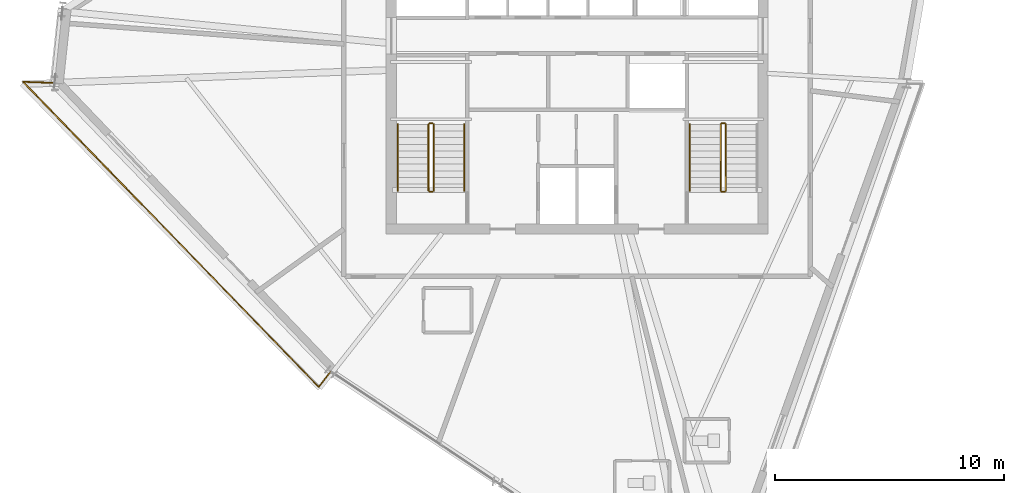
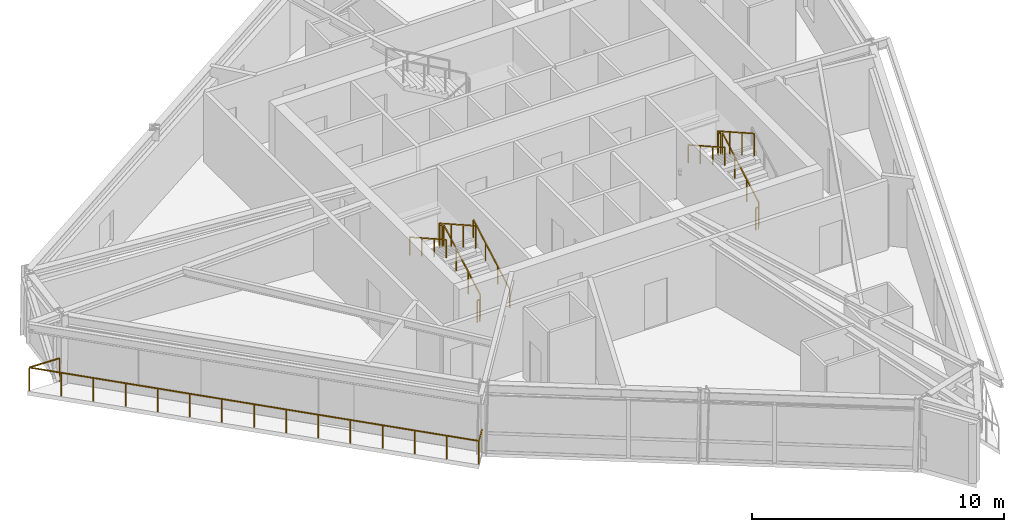
# One storey, part 12 of 15: 12 railings.
"""IFC4 building model written with IfcOpenShell, lengths in metres."""

from ifc_helpers import new_model, si_unit, direction, frame, origin, origin_2d, place, context, subcontext, project, spatial, rectangle, extrude, material, type_object, element, save


model = new_model("IFC4")

# Units and contexts
model_context = context("Model", 3, precision=1e-05, world=origin(), true_north=direction((0.0, 1.0)))
body_context = subcontext(model_context, "Body", "Model", "MODEL_VIEW")
ifc_project = project(units=[si_unit("LENGTHUNIT", "METRE"), si_unit("AREAUNIT", "SQUARE_METRE"), si_unit("VOLUMEUNIT", "CUBIC_METRE"), si_unit("PLANEANGLEUNIT", "RADIAN"), si_unit("MASSUNIT", "GRAM", prefix="KILO")], contexts=[model_context])

# Site, building, storey
site_placement = place(None, origin())
site = spatial("IfcSite", under=ifc_project, at=site_placement, CompositionType="ELEMENT")
building_placement = place(site_placement, origin())
building = spatial("IfcBuilding", under=site, at=building_placement, Name="Olszyna Solenne Hotel", CompositionType="ELEMENT")
storey_placement = place(building_placement, frame((0.0, 0.0, 245.300048828125)))
storey = spatial("IfcBuildingStorey", under=building, at=storey_placement, Name="L65", CompositionType="ELEMENT", Elevation=245.300048828125)

# Railings
ifc_material_1 = material(Name="Anodised bronze aluminium", Category="aluminium")
railing_type_1 = type_object("IfcRailingType", Name="GR-110", PredefinedType="BALUSTRADE", material=ifc_material_1)
railing_1_placement = place(storey_placement, frame((15.144775390625, 25.661865234375, 0.0)))
element("IfcRailing", 1, at=railing_1_placement, inside=storey, type_object=railing_type_1, Name="Loggia balcony balustrade guard GR-L65-LG2", PredefinedType="BALUSTRADE", context=body_context, shape_type="SweptSolid", body=[
    extrude(rectangle(XDim=0.048095703125, YDim=0.048095703125, at=origin_2d()), frame((0.0, 0.0, 1.1259765625), z_axis=(-0.999308757845, 0.037175347945, 0.0), x_axis=(-0.037175347945, -0.999308757845, 0.0)), (0.0, 0.0, 1.0), 1.379150390625),
    extrude(rectangle(XDim=0.048095703125, YDim=0.048095703125, at=origin_2d()), frame((-1.378173828125, 0.05126953125, 1.1259765625), z_axis=(0.695944101793, -0.71809595959, 0.0), x_axis=(0.71809595959, 0.695944101793, 0.0)), (0.0, 0.0, 1.0), 18.581787109375),
    extrude(rectangle(XDim=0.048095703125, YDim=0.048095703125, at=origin_2d()), frame((11.5537109375, -13.292236328125, 1.1259765625), z_axis=(0.619578789857, 0.784934470615, 0.0), x_axis=(-0.784934470615, 0.619578789857, 0.0)), (0.0, 0.0, 1.0), 0.845947265625),
    extrude(rectangle(XDim=0.0419921875, YDim=0.0419921875, at=origin_2d()), origin(), (0.0, 0.0, 1.0), 1.101806640625),
    extrude(rectangle(XDim=0.0419921875, YDim=0.0419921875, at=origin_2d()), frame((-1.378173828125, 0.05126953125, 0.0)), (0.0, 0.0, 1.0), 1.101806640625),
    extrude(rectangle(XDim=0.0419921875, YDim=0.0419921875, at=origin_2d()), frame((-0.45458984375, -0.90185546875, 0.0)), (0.0, 0.0, 1.0), 1.101806640625),
    extrude(rectangle(XDim=0.0419921875, YDim=0.0419921875, at=origin_2d()), frame((0.46923828125, -1.85498046875, 0.0)), (0.0, 0.0, 1.0), 1.101806640625),
    extrude(rectangle(XDim=0.0419921875, YDim=0.0419921875, at=origin_2d()), frame((1.39306640625, -2.80810546875, 0.0)), (0.0, 0.0, 1.0), 1.101806640625),
    extrude(rectangle(XDim=0.0419921875, YDim=0.0419921875, at=origin_2d()), frame((2.316650390625, -3.76123046875, 0.0)), (0.0, 0.0, 1.0), 1.101806640625),
    extrude(rectangle(XDim=0.0419921875, YDim=0.0419921875, at=origin_2d()), frame((3.240234375, -4.71435546875, 0.0)), (0.0, 0.0, 1.0), 1.101806640625),
    extrude(rectangle(XDim=0.0419921875, YDim=0.0419921875, at=origin_2d()), frame((4.1640625, -5.66748046875, 0.0)), (0.0, 0.0, 1.0), 1.101806640625),
    extrude(rectangle(XDim=0.0419921875, YDim=0.0419921875, at=origin_2d()), frame((5.087890625, -6.62060546875, 0.0)), (0.0, 0.0, 1.0), 1.101806640625),
    extrude(rectangle(XDim=0.0419921875, YDim=0.0419921875, at=origin_2d()), frame((6.011474609375, -7.573486328125, 0.0)), (0.0, 0.0, 1.0), 1.101806640625),
    extrude(rectangle(XDim=0.0419921875, YDim=0.0419921875, at=origin_2d()), frame((6.93505859375, -8.526611328125, 0.0)), (0.0, 0.0, 1.0), 1.101806640625),
    extrude(rectangle(XDim=0.0419921875, YDim=0.0419921875, at=origin_2d()), frame((7.85888671875, -9.479736328125, 0.0)), (0.0, 0.0, 1.0), 1.101806640625),
    extrude(rectangle(XDim=0.0419921875, YDim=0.0419921875, at=origin_2d()), frame((8.78271484375, -10.432861328125, 0.0)), (0.0, 0.0, 1.0), 1.101806640625),
    extrude(rectangle(XDim=0.0419921875, YDim=0.0419921875, at=origin_2d()), frame((9.706298828125, -11.385986328125, 0.0)), (0.0, 0.0, 1.0), 1.101806640625),
    extrude(rectangle(XDim=0.0419921875, YDim=0.0419921875, at=origin_2d()), frame((10.6298828125, -12.339111328125, 0.0)), (0.0, 0.0, 1.0), 1.101806640625),
    extrude(rectangle(XDim=0.0419921875, YDim=0.0419921875, at=origin_2d()), frame((11.5537109375, -13.292236328125, 0.0)), (0.0, 0.0, 1.0), 1.101806640625),
    extrude(rectangle(XDim=0.0419921875, YDim=0.0419921875, at=origin_2d()), frame((12.077880859375, -12.628173828125, 0.0)), (0.0, 0.0, 1.0), 1.101806640625),
])
railing_2_placement = place(storey_placement, frame((31.719970703125, 20.949951171875, 0.16357421875)))
element("IfcRailing", 2, at=railing_2_placement, inside=storey, type_object=railing_type_1, Name="L65 ST1 stair guard 1", PredefinedType="BALUSTRADE", context=body_context, shape_type="SweptSolid", body=[
    extrude(rectangle(XDim=0.048095703125, YDim=0.048095703125, at=origin_2d()), frame((0.0, 0.0, 1.076171875), z_axis=(0.0, 0.870914908162, 0.491433843708), x_axis=(-1.0, 0.0, 0.0)), (0.0, 0.0, 1.0), 3.330078125),
    extrude(rectangle(XDim=0.0419921875, YDim=0.0419921875, at=origin_2d()), origin(), (0.0, 0.0, 1.0), 1.052001953125),
    extrude(rectangle(XDim=0.0419921875, YDim=0.0419921875, at=origin_2d()), frame((0.0, 0.966796875, 0.54541015625)), (0.0, 0.0, 1.0), 1.052001953125),
    extrude(rectangle(XDim=0.0419921875, YDim=0.0419921875, at=origin_2d()), frame((0.0, 1.933349609375, 1.091064453125)), (0.0, 0.0, 1.0), 1.052001953125),
    extrude(rectangle(XDim=0.0419921875, YDim=0.0419921875, at=origin_2d()), frame((0.0, 2.900146484375, 1.636474609375)), (0.0, 0.0, 1.0), 1.052001953125),
])
railing_3_placement = place(storey_placement, frame((31.669921875, 23.89990234375, 1.800048828125)))
element("IfcRailing", 3, at=railing_3_placement, inside=storey, type_object=railing_type_1, Name="L65 ST1 stair guard 2", PredefinedType="BALUSTRADE", context=body_context, shape_type="SweptSolid", body=[
    extrude(rectangle(XDim=0.048095703125, YDim=0.048095703125, at=origin_2d()), frame((0.0, 0.0, 1.076171875), z_axis=(-1.0, 0.0, 0.0), x_axis=(0.0, -1.0, 0.0)), (0.0, 0.0, 1.0), 0.119873046875),
    extrude(rectangle(XDim=0.0419921875, YDim=0.0419921875, at=origin_2d()), origin(), (0.0, 0.0, 1.0), 1.052001953125),
    extrude(rectangle(XDim=0.0419921875, YDim=0.0419921875, at=origin_2d()), frame((-0.119873046875, 0.0, 0.0)), (0.0, 0.0, 1.0), 1.052001953125),
])
railing_4_placement = place(storey_placement, frame((31.5, 23.85009765625, 1.963623046875)))
element("IfcRailing", 4, at=railing_4_placement, inside=storey, type_object=railing_type_1, Name="L65 ST1 stair guard 3", PredefinedType="BALUSTRADE", context=body_context, shape_type="SweptSolid", body=[
    extrude(rectangle(XDim=0.048095703125, YDim=0.048095703125, at=origin_2d()), frame((0.0, 0.0, 1.076171875), z_axis=(0.0, -0.870946286338, 0.49137823142), x_axis=(1.0, 0.0, 0.0)), (0.0, 0.0, 1.0), 3.329833984375),
    extrude(rectangle(XDim=0.0419921875, YDim=0.0419921875, at=origin_2d()), origin(), (0.0, 0.0, 1.0), 1.052001953125),
    extrude(rectangle(XDim=0.0419921875, YDim=0.0419921875, at=origin_2d()), frame((0.0, -0.966796875, 0.54541015625)), (0.0, 0.0, 1.0), 1.052001953125),
    extrude(rectangle(XDim=0.0419921875, YDim=0.0419921875, at=origin_2d()), frame((0.0, -1.933349609375, 1.0908203125)), (0.0, 0.0, 1.0), 1.052001953125),
    extrude(rectangle(XDim=0.0419921875, YDim=0.0419921875, at=origin_2d()), frame((0.0, -2.900146484375, 1.63623046875)), (0.0, 0.0, 1.0), 1.052001953125),
])
railing_5_placement = place(storey_placement, frame((31.669921875, 20.89990234375, 0.0)))
element("IfcRailing", 5, at=railing_5_placement, inside=storey, type_object=railing_type_1, Name="L65 ST1 stair guard 4", PredefinedType="BALUSTRADE", context=body_context, shape_type="SweptSolid", body=[
    extrude(rectangle(XDim=0.048095703125, YDim=0.048095703125, at=origin_2d()), frame((0.0, 0.0, 1.076171875), z_axis=(-1.0, 0.0, 0.0), x_axis=(0.0, -1.0, 0.0)), (0.0, 0.0, 1.0), 0.119873046875),
    extrude(rectangle(XDim=0.0419921875, YDim=0.0419921875, at=origin_2d()), origin(), (0.0, 0.0, 1.0), 1.052001953125),
    extrude(rectangle(XDim=0.0419921875, YDim=0.0419921875, at=origin_2d()), frame((-0.119873046875, 0.0, 0.0)), (0.0, 0.0, 1.0), 1.052001953125),
])
railing_6_placement = place(storey_placement, frame((44.5, 20.949951171875, 0.16357421875)))
element("IfcRailing", 6, at=railing_6_placement, inside=storey, type_object=railing_type_1, Name="L65 ST2 stair guard 1", PredefinedType="BALUSTRADE", context=body_context, shape_type="SweptSolid", body=[
    extrude(rectangle(XDim=0.048095703125, YDim=0.048095703125, at=origin_2d()), frame((0.0, 0.0, 1.076171875), z_axis=(0.0, 0.870914908162, 0.491433843708), x_axis=(-1.0, 0.0, 0.0)), (0.0, 0.0, 1.0), 3.330078125),
    extrude(rectangle(XDim=0.0419921875, YDim=0.0419921875, at=origin_2d()), origin(), (0.0, 0.0, 1.0), 1.052001953125),
    extrude(rectangle(XDim=0.0419921875, YDim=0.0419921875, at=origin_2d()), frame((0.0, 0.966796875, 0.54541015625)), (0.0, 0.0, 1.0), 1.052001953125),
    extrude(rectangle(XDim=0.0419921875, YDim=0.0419921875, at=origin_2d()), frame((0.0, 1.933349609375, 1.091064453125)), (0.0, 0.0, 1.0), 1.052001953125),
    extrude(rectangle(XDim=0.0419921875, YDim=0.0419921875, at=origin_2d()), frame((0.0, 2.900146484375, 1.636474609375)), (0.0, 0.0, 1.0), 1.052001953125),
])
railing_7_placement = place(storey_placement, frame((44.449951171875, 23.89990234375, 1.800048828125)))
element("IfcRailing", 7, at=railing_7_placement, inside=storey, type_object=railing_type_1, Name="L65 ST2 stair guard 2", PredefinedType="BALUSTRADE", context=body_context, shape_type="SweptSolid", body=[
    extrude(rectangle(XDim=0.048095703125, YDim=0.048095703125, at=origin_2d()), frame((0.0, 0.0, 1.076171875), z_axis=(-1.0, 0.0, 0.0), x_axis=(0.0, -1.0, 0.0)), (0.0, 0.0, 1.0), 0.119873046875),
    extrude(rectangle(XDim=0.0419921875, YDim=0.0419921875, at=origin_2d()), origin(), (0.0, 0.0, 1.0), 1.052001953125),
    extrude(rectangle(XDim=0.0419921875, YDim=0.0419921875, at=origin_2d()), frame((-0.119873046875, 0.0, 0.0)), (0.0, 0.0, 1.0), 1.052001953125),
])
railing_8_placement = place(storey_placement, frame((44.280029296875, 23.85009765625, 1.963623046875)))
element("IfcRailing", 8, at=railing_8_placement, inside=storey, type_object=railing_type_1, Name="L65 ST2 stair guard 3", PredefinedType="BALUSTRADE", context=body_context, shape_type="SweptSolid", body=[
    extrude(rectangle(XDim=0.048095703125, YDim=0.048095703125, at=origin_2d()), frame((0.0, 0.0, 1.076171875), z_axis=(0.0, -0.870946286338, 0.49137823142), x_axis=(1.0, 0.0, 0.0)), (0.0, 0.0, 1.0), 3.329833984375),
    extrude(rectangle(XDim=0.0419921875, YDim=0.0419921875, at=origin_2d()), origin(), (0.0, 0.0, 1.0), 1.052001953125),
    extrude(rectangle(XDim=0.0419921875, YDim=0.0419921875, at=origin_2d()), frame((0.0, -0.966796875, 0.54541015625)), (0.0, 0.0, 1.0), 1.052001953125),
    extrude(rectangle(XDim=0.0419921875, YDim=0.0419921875, at=origin_2d()), frame((0.0, -1.933349609375, 1.0908203125)), (0.0, 0.0, 1.0), 1.052001953125),
    extrude(rectangle(XDim=0.0419921875, YDim=0.0419921875, at=origin_2d()), frame((0.0, -2.900146484375, 1.63623046875)), (0.0, 0.0, 1.0), 1.052001953125),
])
railing_9_placement = place(storey_placement, frame((44.449951171875, 20.89990234375, 0.0)))
element("IfcRailing", 9, at=railing_9_placement, inside=storey, type_object=railing_type_1, Name="L65 ST2 stair guard 4", PredefinedType="BALUSTRADE", context=body_context, shape_type="SweptSolid", body=[
    extrude(rectangle(XDim=0.048095703125, YDim=0.048095703125, at=origin_2d()), frame((0.0, 0.0, 1.076171875), z_axis=(-1.0, 0.0, 0.0), x_axis=(0.0, -1.0, 0.0)), (0.0, 0.0, 1.0), 0.119873046875),
    extrude(rectangle(XDim=0.0419921875, YDim=0.0419921875, at=origin_2d()), origin(), (0.0, 0.0, 1.0), 1.052001953125),
    extrude(rectangle(XDim=0.0419921875, YDim=0.0419921875, at=origin_2d()), frame((-0.119873046875, 0.0, 0.0)), (0.0, 0.0, 1.0), 1.052001953125),
])
ifc_material_2 = material(Name="Steel S355J2", Category="steel")
railing_type_2 = type_object("IfcRailingType", Name="HR-090", PredefinedType="HANDRAIL", material=ifc_material_2)
railing_10_placement = place(storey_placement, frame((33.070068359375, 20.949951171875, 0.16357421875)))
element("IfcRailing", 10, at=railing_10_placement, inside=storey, type_object=railing_type_2, Name="L65 ST1 stair handrail 1", PredefinedType="HANDRAIL", context=body_context, shape_type="SweptSolid", body=[
    extrude(rectangle(XDim=0.048095703125, YDim=0.048095703125, at=origin_2d()), frame((0.0, 0.0, 0.8759765625), z_axis=(0.0, 0.870914908162, 0.491433843708), x_axis=(-1.0, 0.0, 0.0)), (0.0, 0.0, 1.0), 3.330078125),
    extrude(rectangle(XDim=0.0419921875, YDim=0.0419921875, at=origin_2d()), origin(), (0.0, 0.0, 1.0), 0.851806640625),
    extrude(rectangle(XDim=0.0419921875, YDim=0.0419921875, at=origin_2d()), frame((0.0, 0.966796875, 0.54541015625)), (0.0, 0.0, 1.0), 0.851806640625),
    extrude(rectangle(XDim=0.0419921875, YDim=0.0419921875, at=origin_2d()), frame((0.0, 1.933349609375, 1.091064453125)), (0.0, 0.0, 1.0), 0.851806640625),
    extrude(rectangle(XDim=0.0419921875, YDim=0.0419921875, at=origin_2d()), frame((0.0, 2.900146484375, 1.636474609375)), (0.0, 0.0, 1.0), 0.851806640625),
])
for number, where, name in (
    (11, (30.14990234375, 23.85009765625, 1.963623046875), "L65 ST1 stair handrail 2"),
    (12, (42.929931640625, 23.85009765625, 1.963623046875), "L65 ST2 stair handrail 2"),
):
    element("IfcRailing", number, at=place(storey_placement, frame(where)), inside=storey, type_object=railing_type_2, Name=name, PredefinedType="HANDRAIL", context=body_context, shape_type="SweptSolid", body=[
        extrude(rectangle(XDim=0.048095703125, YDim=0.048095703125, at=origin_2d()), frame((0.0, 0.0, 0.8759765625), z_axis=(0.0, -0.870946286338, 0.49137823142), x_axis=(1.0, 0.0, 0.0)), (0.0, 0.0, 1.0), 3.329833984375),
        extrude(rectangle(XDim=0.0419921875, YDim=0.0419921875, at=origin_2d()), origin(), (0.0, 0.0, 1.0), 0.851806640625),
        extrude(rectangle(XDim=0.0419921875, YDim=0.0419921875, at=origin_2d()), frame((0.0, -0.966796875, 0.54541015625)), (0.0, 0.0, 1.0), 0.851806640625),
        extrude(rectangle(XDim=0.0419921875, YDim=0.0419921875, at=origin_2d()), frame((0.0, -1.933349609375, 1.0908203125)), (0.0, 0.0, 1.0), 0.851806640625),
        extrude(rectangle(XDim=0.0419921875, YDim=0.0419921875, at=origin_2d()), frame((0.0, -2.900146484375, 1.63623046875)), (0.0, 0.0, 1.0), 0.851806640625),
    ])

save(model, "model.ifc")
